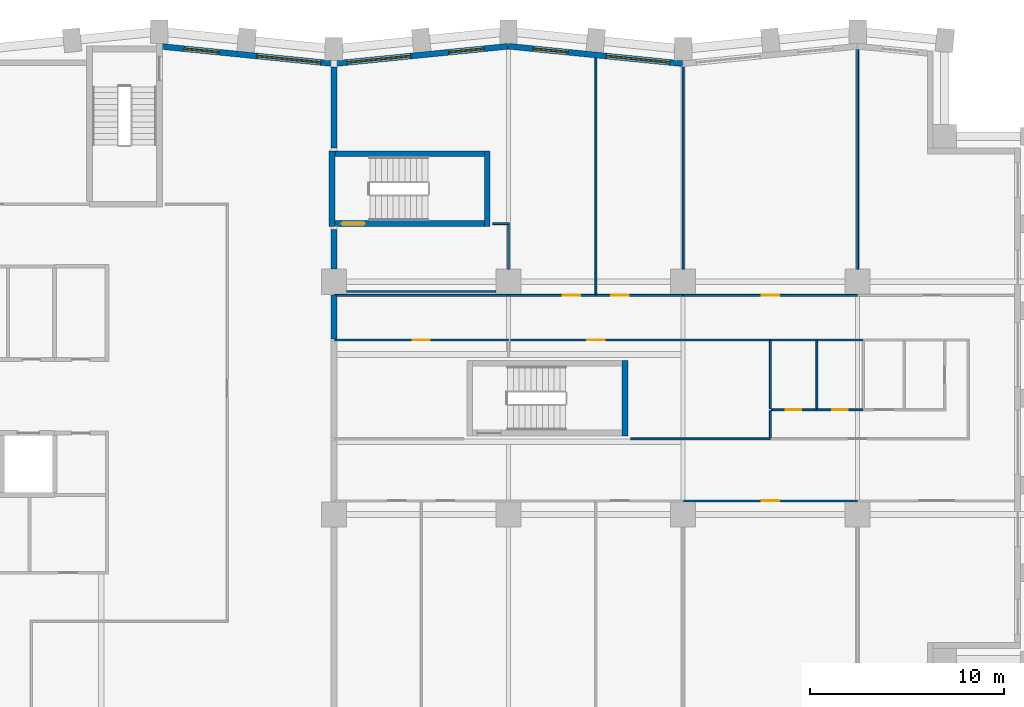
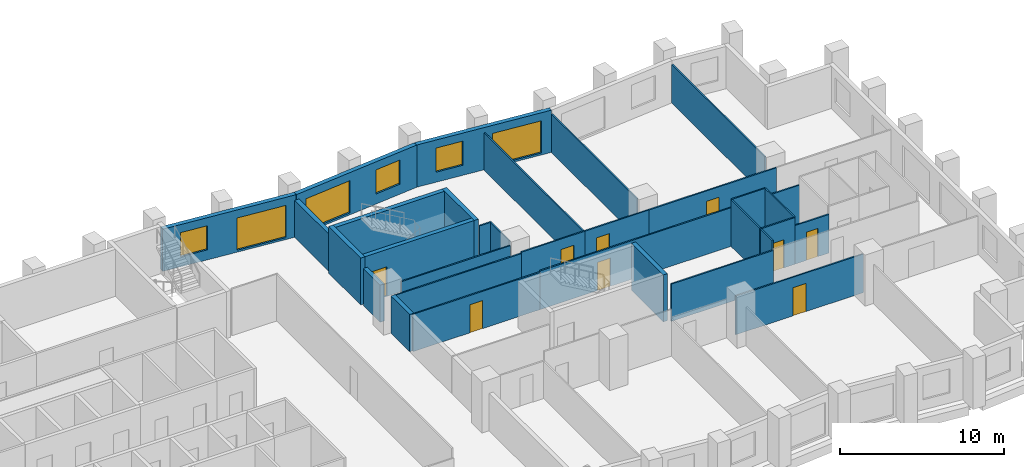
# One storey, part 7 of 11: 32 walls, 9 doors, 6 windows, 15 openings.
"""IFC4 building model written with IfcOpenShell, lengths in metres."""

import ifcopenshell
import ifcopenshell.guid

model = None  # the IFC model being written
_history = None  # IfcOwnerHistory: only IFC2X3 demands one
_inside = {}  # id of a spatial element -> (the spatial element, [elements in it])
_under = {}  # id of a project, library or spatial element -> (it, [spatial elements below it])
_declared = {}  # id of a project -> (the project, [libraries it declares])
_typed = {}  # id of a type object -> (the type object, [elements of that type])
_made_of = {}  # id of a material, layer set ... -> (it, [elements and type objects made of it])


def new_model(schema):
    """Start an empty IFC model of exactly this schema.

    Asked for "IFC4X3", IfcOpenShell would pick the latest addendum, in which some entities
    have other attributes; the version numbers below select the first issue.
    IFC2X3 requires an IfcOwnerHistory on every rooted entity: one is made here for all.
    """
    global model, _history
    if schema == "IFC4X3":
        model = ifcopenshell.file(schema_version=(4, 3, 0, 0))
    else:
        model = ifcopenshell.file(schema=schema)
    _inside.clear()
    _under.clear()
    _declared.clear()
    _typed.clear()
    _made_of.clear()
    _history = None
    if model.schema == "IFC2X3":
        org = make("IfcOrganization", Name="unknown")
        user = make(
            "IfcPersonAndOrganization",
            ThePerson=make("IfcPerson", FamilyName="unknown"),
            TheOrganization=org,
        )
        app = make(
            "IfcApplication",
            ApplicationDeveloper=org,
            Version="unknown",
            ApplicationFullName="unknown",
            ApplicationIdentifier="unknown",
        )
        _history = make(
            "IfcOwnerHistory",
            OwningUser=user,
            OwningApplication=app,
            ChangeAction="ADDED",
            CreationDate=0,
        )
    return model


def make(cls, **values):
    """One entity of the class cls with the attributes given. An attribute that is None is left unset."""
    return model.create_entity(
        cls, **{name: value for name, value in values.items() if value is not None}
    )


def rooted(cls, **values):
    """An entity with a GlobalId (a new one), such as an element, a storey or a relation."""
    return make(cls, GlobalId=ifcopenshell.guid.new(), OwnerHistory=_history, **values)


def si_unit(unit_type, name, prefix=None):
    """IfcSIUnit, for example si_unit("LENGTHUNIT", "METRE", prefix="MILLI")."""
    return make("IfcSIUnit", UnitType=unit_type, Prefix=prefix, Name=name)


def assignment(units):
    """IfcUnitAssignment: the units of a project."""
    return None if units is None else make("IfcUnitAssignment", Units=units)


def point(xyz):
    """IfcCartesianPoint."""
    return None if xyz is None else make("IfcCartesianPoint", Coordinates=xyz)


def direction(xyz):
    """IfcDirection."""
    return None if xyz is None else make("IfcDirection", DirectionRatios=xyz)


def frame(location, z_axis=None, x_axis=None):
    """IfcAxis2Placement3D, a coordinate frame: its origin and axes. An axis left out is left unset."""
    return make(
        "IfcAxis2Placement3D",
        Location=point(location),
        Axis=direction(z_axis),
        RefDirection=direction(x_axis),
    )


def frame_2d(location, x_axis=None):
    """IfcAxis2Placement2D, a coordinate frame in the plane: its origin and x axis."""
    return make(
        "IfcAxis2Placement2D", Location=point(location), RefDirection=direction(x_axis)
    )


def origin():
    """The frame at (0, 0, 0) with its axes left unset."""
    return frame((0.0, 0.0, 0.0))


def place(relative_to, where):
    """IfcLocalPlacement: puts the frame where relative to a parent placement (None: the world)."""
    return make(
        "IfcLocalPlacement", PlacementRelTo=relative_to, RelativePlacement=where
    )


def context(
    kind, dimensions, precision=None, world=None, true_north=None, identifier=None
):
    """IfcGeometricRepresentationContext, for example the 3D "Model" context."""
    return make(
        "IfcGeometricRepresentationContext",
        ContextIdentifier=identifier,
        ContextType=kind,
        CoordinateSpaceDimension=dimensions,
        Precision=precision,
        WorldCoordinateSystem=world,
        TrueNorth=true_north,
    )


def subcontext(parent, identifier, kind, view, scale=None):
    """IfcGeometricRepresentationSubContext, for example "Body" below "Model"."""
    return make(
        "IfcGeometricRepresentationSubContext",
        ContextIdentifier=identifier,
        ContextType=kind,
        ParentContext=parent,
        TargetScale=scale,
        TargetView=view,
    )


def project(units=None, contexts=None):
    """IfcProject with its units and contexts."""
    return rooted(
        "IfcProject",
        Name="project",
        RepresentationContexts=contexts,
        UnitsInContext=assignment(units),
    )


def spatial(cls, under=None, at=None, **own):
    """A site, building, storey or space (cls), placed at a placement, below another one or the project."""
    s = rooted(cls, ObjectPlacement=at, **own)
    if under is not None:
        _under.setdefault(under.id(), (under, []))[1].append(s)
    return s


def profile(cls, at=None, kind="AREA", **sizes):
    """A parametric profile (cls). Its sizes go by their IFC names, for example OverallWidth=200.0."""
    return make(cls, ProfileType=kind, Position=at, **sizes)


def rectangle(**sizes):
    """IfcRectangleProfileDef."""
    return profile("IfcRectangleProfileDef", **sizes)


def extrude(swept, where, along, depth):
    """IfcExtrudedAreaSolid: the profile swept, set in the frame where, extruded along a direction by depth."""
    return make(
        "IfcExtrudedAreaSolid",
        SweptArea=swept,
        Position=where,
        ExtrudedDirection=direction(along),
        Depth=depth,
    )


def shape(context_of_items, identifier, shape_type, items):
    """IfcShapeRepresentation: the items that make up one representation, for example the "Body"."""
    return make(
        "IfcShapeRepresentation",
        ContextOfItems=context_of_items,
        RepresentationIdentifier=identifier,
        RepresentationType=shape_type,
        Items=items,
    )


def material(Name=None, Category=None):
    """IfcMaterial."""
    return make("IfcMaterial", Name=Name, Category=Category)


def layer(
    of_material, thickness, ventilated=None, Name=None, Category=None, Priority=None
):
    """IfcMaterialLayer: one layer of a wall or slab, of a material (None: an air gap)."""
    return make(
        "IfcMaterialLayer",
        Material=of_material,
        LayerThickness=thickness,
        IsVentilated=ventilated,
        Name=Name,
        Category=Category,
        Priority=Priority,
    )


def layer_set(layers, Name=None):
    """IfcMaterialLayerSet."""
    return make("IfcMaterialLayerSet", MaterialLayers=layers, LayerSetName=Name)


def made_of(thing, what):
    """Note that an element or type object is made of a material, layer set ...; save() writes the relation."""
    if what is not None:
        _made_of.setdefault(what.id(), (what, []))[1].append(thing)
    return thing


def type_object(cls, material=None, **own):
    """A type object (cls), such as IfcWallType, which elements share."""
    return made_of(rooted(cls, **own), material)


def element(
    cls,
    number,
    at=None,
    inside=None,
    cuts=None,
    type_object=None,
    material=None,
    context=None,
    identifier="Body",
    shape_type=None,
    held_by="IfcProductDefinitionShape",
    body=None,
    shapes=None,
    **own,
):
    """One element of the class cls, such as IfcWall. Its Tag is "e" and its number.

    at: its placement. inside: the storey or other place that contains it. cuts: it is an
    opening in that element (IfcRelVoidsElement). A single representation is given by context,
    identifier, shape_type and body (its items); several are given by shapes. held_by: the class
    of the entity that holds the representations. save() writes the other relations.
    """
    e = rooted(cls, Tag="e%d" % number, ObjectPlacement=at, **own)
    if body is not None:
        shapes = [shape(context, identifier, shape_type, body)]
    if shapes is not None:
        e.Representation = make(held_by, Representations=shapes)
    if inside is not None:
        _inside.setdefault(inside.id(), (inside, []))[1].append(e)
    if cuts is not None:
        rooted(
            "IfcRelVoidsElement", RelatingBuildingElement=cuts, RelatedOpeningElement=e
        )
    if type_object is not None:
        _typed.setdefault(type_object.id(), (type_object, []))[1].append(e)
    return made_of(e, material)


def fill(opening, filler):
    """IfcRelFillsElement: the door or window that sits in an opening."""
    return rooted(
        "IfcRelFillsElement",
        RelatingOpeningElement=opening,
        RelatedBuildingElement=filler,
    )


def aggregate(whole, parts):
    """IfcRelAggregates: a whole, such as a stair, and the parts it consists of."""
    return rooted("IfcRelAggregates", RelatingObject=whole, RelatedObjects=parts)


def save(model, path):
    """Write the relations noted so far, then the file.

    IfcRelAggregates (storeys below a building ...), IfcRelContainedInSpatialStructure (elements
    in a storey), IfcRelDefinesByType, IfcRelAssociatesMaterial and IfcRelDeclares: one each for
    every whole, place, type object, material and project.
    """
    for whole, parts in _under.values():
        aggregate(whole, parts)
    for where, things in _inside.values():
        rooted(
            "IfcRelContainedInSpatialStructure",
            RelatedElements=things,
            RelatingStructure=where,
        )
    for kind, things in _typed.values():
        rooted("IfcRelDefinesByType", RelatedObjects=things, RelatingType=kind)
    for what, things in _made_of.values():
        rooted("IfcRelAssociatesMaterial", RelatedObjects=things, RelatingMaterial=what)
    for by, libraries in _declared.values():
        rooted("IfcRelDeclares", RelatingContext=by, RelatedDefinitions=libraries)
    model.write(path)


model = new_model("IFC4")

# Units and contexts
model_context = context("Model", 3, precision=1e-05, world=origin(), true_north=direction((0.0, 1.0)))
body_context = subcontext(model_context, "Body", "Model", "MODEL_VIEW")
ifc_project = project(units=[si_unit("LENGTHUNIT", "METRE"), si_unit("AREAUNIT", "SQUARE_METRE"), si_unit("VOLUMEUNIT", "CUBIC_METRE"), si_unit("PLANEANGLEUNIT", "RADIAN"), si_unit("MASSUNIT", "GRAM", prefix="KILO")], contexts=[model_context])

# Site, building, storey
site_placement = place(None, origin())
site = spatial("IfcSite", under=ifc_project, at=site_placement, CompositionType="ELEMENT")
building_placement = place(site_placement, origin())
building = spatial("IfcBuilding", under=site, at=building_placement, Name="Brondeck Convention Tower", CompositionType="ELEMENT")
storey_placement = place(building_placement, frame((0.0, 0.0, 126.5)))
storey = spatial("IfcBuildingStorey", under=building, at=storey_placement, Name="L30", CompositionType="ELEMENT", Elevation=126.5)

# Walls
ifc_material_1 = material(Name="Concrete compartment wall C30/37", Category="concrete")
ifc_layer_1 = layer(ifc_material_1, 0.300048828125)
ifc_layer_set_1 = layer_set([ifc_layer_1], Name="Compartment wall 300")
wall_type_1 = type_object("IfcWallType", Name="Compartment wall 300", PredefinedType="PARTITIONING", material=ifc_layer_set_1)
wall_1_placement = place(storey_placement, frame((36.0, 48.050048828125, 0.0), z_axis=(0.0, 0.0, 1.0), x_axis=(0.0, 1.0, 0.0)))
element("IfcWall", 1, at=wall_1_placement, inside=storey, type_object=wall_type_1, Name="FLR-L30-W064", PredefinedType="PARTITIONING", context=body_context, shape_type="SweptSolid", body=[
    extrude(rectangle(XDim=2.280029296875, YDim=0.300048828125, at=frame_2d((1.14013671875, 0.0))), origin(), (0.0, 0.0, 1.0), 2.780029296875),
])
wall_2_placement = place(storey_placement, frame((36.0, 51.655029296875, 0.0), z_axis=(0.0, 0.0, 1.0), x_axis=(0.0, 1.0, 0.0)))
element("IfcWall", 2, at=wall_2_placement, inside=storey, type_object=wall_type_1, Name="FLR-L30-W071", PredefinedType="PARTITIONING", context=body_context, shape_type="SweptSolid", body=[
    extrude(rectangle(XDim=2.044921875, YDim=0.300048828125, at=frame_2d((1.0224609375, 0.0))), origin(), (0.0, 0.0, 1.0), 2.780029296875),
])
wall_3_placement = place(storey_placement, frame((36.0, 57.89990234375, 0.0), z_axis=(0.0, 0.0, 1.0), x_axis=(0.0, 1.0, 0.0)))
element("IfcWall", 3, at=wall_3_placement, inside=storey, type_object=wall_type_1, Name="FLR-L30-W076", PredefinedType="PARTITIONING", context=body_context, shape_type="SweptSolid", body=[
    extrude(rectangle(XDim=4.175537109375, YDim=0.300048828125, at=frame_2d((2.087890625, 0.0))), origin(), (0.0, 0.0, 1.0), 2.780029296875),
])

# Wall, openings, windows
ifc_material_2 = material(Name="Precast concrete C50/60 bronze finish", Category="concrete")
ifc_layer_2 = layer(ifc_material_2, 0.070068359375, Name="Bronze precast facing")
ifc_material_3 = material(Name="Mineral wool")
ifc_layer_3 = layer(ifc_material_3, 0.159912109375, Name="Insulation")
ifc_material_4 = material(Name="Concrete C35/45", Category="concrete")
ifc_layer_4 = layer(ifc_material_4, 0.070068359375, Name="Backing")
ifc_layer_set_2 = layer_set([ifc_layer_2, ifc_layer_3, ifc_layer_4], Name="External infill wall, precast concrete C50/60 bronze facing")
wall_type_2 = type_object("IfcWallType", Name="External infill wall, precast concrete C50/60 bronze facing", PredefinedType="SOLIDWALL", material=ifc_layer_set_2)
wall_4_placement = place(storey_placement, frame((44.985107421875, 63.147705078125, 0.0), z_axis=(0.0, 0.0, 1.0), x_axis=(0.995037993253, -0.099495688264, 0.0)))
wall_4 = element("IfcWall", 4, at=wall_4_placement, inside=storey, type_object=wall_type_2, Name="ENV-EW-L30-P0-A-N-11", PredefinedType="SOLIDWALL", context=body_context, shape_type="SweptSolid", body=[
    extrude(rectangle(XDim=9.030029296875, YDim=0.300048828125, at=frame_2d((4.51513671875, 0.0))), origin(), (0.0, 0.0, 1.0), 3.14990234375),
])
opening_1_placement = place(wall_4_placement, frame((1.30126953125, 0.0, 0.75)))
opening_1 = element("IfcOpeningElement", 5, at=opening_1_placement, cuts=wall_4, Name="Opening W10", PredefinedType="OPENING", context=body_context, shape_type="SweptSolid", body=[
    extrude(rectangle(XDim=1.800048828125, YDim=1.800048828125, at=frame_2d((0.89990234375, 0.89990234375))), frame((0.0, 0.159912109375, 0.0), z_axis=(0.0, -1.0, 0.0), x_axis=(1.0, 0.0, 0.0)), (0.0, 0.0, 1.0), 0.320068359375),
])
opening_2_placement = place(wall_4_placement, frame((5.073486328125, 0.0, 0.14990234375)))
opening_2 = element("IfcOpeningElement", 6, at=opening_2_placement, cuts=wall_4, Name="Opening W9", PredefinedType="OPENING", context=body_context, shape_type="SweptSolid", body=[
    extrude(rectangle(XDim=3.300048828125, YDim=2.39990234375, at=frame_2d((1.64990234375, 1.199951171875))), frame((0.0, 0.159912109375, 0.0), z_axis=(0.0, -1.0, 0.0), x_axis=(1.0, 0.0, 0.0)), (0.0, 0.0, 1.0), 0.320068359375),
])
ifc_material_5 = material(Name="Bronze tinted double glazing", Category="glass")
window_type_1 = type_object("IfcWindowType", Name="Glazed flute window, bronze tinted", PartitioningType="SINGLE_PANEL", PredefinedType="WINDOW", material=ifc_material_5)
window_1_placement = place(opening_2_placement, origin())
window_1 = element("IfcWindow", 7, at=window_1_placement, inside=storey, type_object=window_type_1, Name="ENV-WN-L30-P0-A-N-11", OverallHeight=2.39990234375, OverallWidth=3.300048828125, PartitioningType="SINGLE_PANEL", PredefinedType="WINDOW", context=body_context, shape_type="SweptSolid", body=[
    extrude(rectangle(XDim=3.300048828125, YDim=2.39990234375, at=frame_2d((1.64990234375, 1.199951171875))), frame((0.0, 0.030029296875, 0.0), z_axis=(0.0, -1.0, 0.0), x_axis=(1.0, 0.0, 0.0)), (0.0, 0.0, 1.0), 0.06005859375),
])
fill(opening_2, window_1)
window_type_2 = type_object("IfcWindowType", Name="Punched window, bronze tinted", PartitioningType="SINGLE_PANEL", PredefinedType="WINDOW", material=ifc_material_5)
window_2_placement = place(opening_1_placement, origin())
window_2 = element("IfcWindow", 8, at=window_2_placement, inside=storey, type_object=window_type_2, Name="ENV-WN-L30-P0-A-N-10", OverallHeight=1.800048828125, OverallWidth=1.800048828125, PartitioningType="SINGLE_PANEL", PredefinedType="WINDOW", context=body_context, shape_type="SweptSolid", body=[
    extrude(rectangle(XDim=1.800048828125, YDim=1.800048828125, at=frame_2d((0.89990234375, 0.89990234375))), frame((0.0, 0.030029296875, 0.0), z_axis=(0.0, -1.0, 0.0), x_axis=(1.0, 0.0, 0.0)), (0.0, 0.0, 1.0), 0.06005859375),
])
fill(opening_1, window_2)

wall_5_placement = place(storey_placement, frame((35.985107421875, 62.244873046875, 0.0), z_axis=(0.0, 0.0, 1.0), x_axis=(0.995037993253, 0.099495688264, 0.0)))
wall_5 = element("IfcWall", 9, at=wall_5_placement, inside=storey, type_object=wall_type_2, Name="ENV-EW-L30-P0-A-N-09", PredefinedType="SOLIDWALL", context=body_context, shape_type="SweptSolid", body=[
    extrude(rectangle(XDim=9.030029296875, YDim=0.300048828125, at=frame_2d((4.51513671875, 0.0))), origin(), (0.0, 0.0, 1.0), 3.14990234375),
])
opening_3_placement = place(wall_5_placement, frame((0.701171875, 0.0, 0.14990234375)))
opening_3 = element("IfcOpeningElement", 10, at=opening_3_placement, cuts=wall_5, Name="Opening W9", PredefinedType="OPENING", context=body_context, shape_type="SweptSolid", body=[
    extrude(rectangle(XDim=3.300048828125, YDim=2.39990234375, at=frame_2d((1.64990234375, 1.199951171875))), frame((0.0, 0.159912109375, 0.0), z_axis=(0.0, -1.0, 0.0), x_axis=(1.0, 0.0, 0.0)), (0.0, 0.0, 1.0), 0.320068359375),
])
opening_4_placement = place(wall_5_placement, frame((5.9736328125, 0.0, 0.75)))
opening_4 = element("IfcOpeningElement", 11, at=opening_4_placement, cuts=wall_5, Name="Opening W10", PredefinedType="OPENING", context=body_context, shape_type="SweptSolid", body=[
    extrude(rectangle(XDim=1.800048828125, YDim=1.800048828125, at=frame_2d((0.89990234375, 0.89990234375))), frame((0.0, 0.159912109375, 0.0), z_axis=(0.0, -1.0, 0.0), x_axis=(1.0, 0.0, 0.0)), (0.0, 0.0, 1.0), 0.320068359375),
])
window_3_placement = place(opening_3_placement, origin())
window_3 = element("IfcWindow", 12, at=window_3_placement, inside=storey, type_object=window_type_1, Name="ENV-WN-L30-P0-A-N-08", OverallHeight=2.39990234375, OverallWidth=3.300048828125, PartitioningType="SINGLE_PANEL", PredefinedType="WINDOW", context=body_context, shape_type="SweptSolid", body=[
    extrude(rectangle(XDim=3.300048828125, YDim=2.39990234375, at=frame_2d((1.64990234375, 1.199951171875))), frame((0.0, 0.030029296875, 0.0), z_axis=(0.0, -1.0, 0.0), x_axis=(1.0, 0.0, 0.0)), (0.0, 0.0, 1.0), 0.06005859375),
])
fill(opening_3, window_3)
window_4_placement = place(opening_4_placement, origin())
window_4 = element("IfcWindow", 13, at=window_4_placement, inside=storey, type_object=window_type_2, Name="ENV-WN-L30-P0-A-N-09", OverallHeight=1.800048828125, OverallWidth=1.800048828125, PartitioningType="SINGLE_PANEL", PredefinedType="WINDOW", context=body_context, shape_type="SweptSolid", body=[
    extrude(rectangle(XDim=1.800048828125, YDim=1.800048828125, at=frame_2d((0.89990234375, 0.89990234375))), frame((0.0, 0.030029296875, 0.0), z_axis=(0.0, -1.0, 0.0), x_axis=(1.0, 0.0, 0.0)), (0.0, 0.0, 1.0), 0.06005859375),
])
fill(opening_4, window_4)

wall_6_placement = place(storey_placement, frame((27.07470703125, 63.138916015625, 0.0), z_axis=(0.0, 0.0, 1.0), x_axis=(0.995036108601, -0.099514534519, 0.0)))
wall_6 = element("IfcWall", 14, at=wall_6_placement, inside=storey, type_object=wall_type_2, Name="ENV-EW-L30-P0-A-N-07", PredefinedType="SOLIDWALL", context=body_context, shape_type="SweptSolid", body=[
    extrude(rectangle(XDim=8.93994140625, YDim=0.300048828125, at=frame_2d((4.469970703125, 0.0))), origin(), (0.0, 0.0, 1.0), 3.14990234375),
])
opening_5_placement = place(wall_6_placement, frame((1.211181640625, 0.0, 0.75)))
opening_5 = element("IfcOpeningElement", 15, at=opening_5_placement, cuts=wall_6, Name="Opening W10", PredefinedType="OPENING", context=body_context, shape_type="SweptSolid", body=[
    extrude(rectangle(XDim=1.800048828125, YDim=1.800048828125, at=frame_2d((0.89990234375, 0.89990234375))), frame((0.0, 0.159912109375, 0.0), z_axis=(0.0, -1.0, 0.0), x_axis=(1.0, 0.0, 0.0)), (0.0, 0.0, 1.0), 0.320068359375),
])
opening_6_placement = place(wall_6_placement, frame((4.983642578125, 0.0, 0.14990234375)))
opening_6 = element("IfcOpeningElement", 16, at=opening_6_placement, cuts=wall_6, Name="Opening W9", PredefinedType="OPENING", context=body_context, shape_type="SweptSolid", body=[
    extrude(rectangle(XDim=3.300048828125, YDim=2.39990234375, at=frame_2d((1.64990234375, 1.199951171875))), frame((0.0, 0.159912109375, 0.0), z_axis=(0.0, -1.0, 0.0), x_axis=(1.0, 0.0, 0.0)), (0.0, 0.0, 1.0), 0.320068359375),
])
window_5_placement = place(opening_6_placement, origin())
window_5 = element("IfcWindow", 17, at=window_5_placement, inside=storey, type_object=window_type_1, Name="ENV-WN-L30-P0-A-N-07", OverallHeight=2.39990234375, OverallWidth=3.300048828125, PartitioningType="SINGLE_PANEL", PredefinedType="WINDOW", context=body_context, shape_type="SweptSolid", body=[
    extrude(rectangle(XDim=3.300048828125, YDim=2.39990234375, at=frame_2d((1.64990234375, 1.199951171875))), frame((0.0, 0.030029296875, 0.0), z_axis=(0.0, -1.0, 0.0), x_axis=(1.0, 0.0, 0.0)), (0.0, 0.0, 1.0), 0.06005859375),
])
fill(opening_6, window_5)
window_6_placement = place(opening_5_placement, origin())
window_6 = element("IfcWindow", 18, at=window_6_placement, inside=storey, type_object=window_type_2, Name="ENV-WN-L30-P0-A-N-06", OverallHeight=1.800048828125, OverallWidth=1.800048828125, PartitioningType="SINGLE_PANEL", PredefinedType="WINDOW", context=body_context, shape_type="SweptSolid", body=[
    extrude(rectangle(XDim=1.800048828125, YDim=1.800048828125, at=frame_2d((0.89990234375, 0.89990234375))), frame((0.0, 0.030029296875, 0.0), z_axis=(0.0, -1.0, 0.0), x_axis=(1.0, 0.0, 0.0)), (0.0, 0.0, 1.0), 0.06005859375),
])
fill(opening_5, window_6)

# Wall, opening, door
ifc_material_6 = material(Name="Gypsum board partition on steel studs", Category="steel")
ifc_layer_5 = layer(ifc_material_6, 0.10009765625)
ifc_layer_set_3 = layer_set([ifc_layer_5], Name="Room partition 100")
wall_type_3 = type_object("IfcWallType", Name="Room partition 100", PredefinedType="PARTITIONING", material=ifc_layer_set_3)
wall_7_placement = place(storey_placement, frame((63.0, 39.699951171875, 0.0), z_axis=(0.0, 0.0, 1.0), x_axis=(-1.0, 0.0, 0.0)))
wall_7 = element("IfcWall", 19, at=wall_7_placement, inside=storey, type_object=wall_type_3, Name="FLR-L30-W038", PredefinedType="PARTITIONING", context=body_context, shape_type="SweptSolid", body=[
    extrude(rectangle(XDim=9.0, YDim=0.10009765625, at=frame_2d((4.5, 0.0))), origin(), (0.0, 0.0, 1.0), 2.8798828125),
])
opening_7_placement = place(wall_7_placement, frame((4.050048828125, 0.0, 0.0)))
opening_7 = element("IfcOpeningElement", 20, at=opening_7_placement, cuts=wall_7, Name="Opening OF-D-012", PredefinedType="OPENING", context=body_context, shape_type="SweptSolid", body=[
    extrude(rectangle(XDim=0.89990234375, YDim=2.10009765625, at=frame_2d((0.449951171875, 1.050048828125))), frame((0.0, 0.06005859375, 0.0), z_axis=(0.0, -1.0, 0.0), x_axis=(1.0, 0.0, 0.0)), (0.0, 0.0, 1.0), 0.1201171875),
])
ifc_material_7 = material(Name="Solid timber door leaf", Category="wood")
door_type_1 = type_object("IfcDoorType", Name="Single door 900", OperationType="NOTDEFINED", PredefinedType="DOOR", material=ifc_material_7)
door_1_placement = place(opening_7_placement, origin())
door_1 = element("IfcDoor", 21, at=door_1_placement, inside=storey, type_object=door_type_1, Name="Door OF-D-012", OperationType="SINGLE_SWING_LEFT", OverallHeight=2.10009765625, OverallWidth=0.89990234375, PredefinedType="DOOR", context=body_context, shape_type="SweptSolid", body=[
    extrude(rectangle(XDim=0.89990234375, YDim=2.10009765625, at=frame_2d((0.449951171875, 1.050048828125))), frame((0.0, 0.02490234375, 0.0), z_axis=(0.0, -1.0, 0.0), x_axis=(1.0, 0.0, 0.0)), (0.0, 0.0, 1.0), 0.050048828125),
])
fill(opening_7, door_1)

# Walls
wall_8_placement = place(storey_placement, frame((51.300048828125, 42.89990234375, 0.0), z_axis=(0.0, 0.0, 1.0), x_axis=(1.0, 0.0, 0.0)))
element("IfcWall", 22, at=wall_8_placement, inside=storey, type_object=wall_type_3, Name="FLR-L30-W042", PredefinedType="PARTITIONING", context=body_context, shape_type="SweptSolid", body=[
    extrude(rectangle(XDim=7.199951171875, YDim=0.10009765625, at=frame_2d((3.60009765625, 0.0))), origin(), (0.0, 0.0, 1.0), 2.780029296875),
])
wall_9_placement = place(storey_placement, frame((58.5, 44.35009765625, 0.0), z_axis=(0.0, 0.0, 1.0), x_axis=(0.0, -1.0, 0.0)))
element("IfcWall", 23, at=wall_9_placement, inside=storey, type_object=wall_type_3, Name="FLR-L30-W046", PredefinedType="PARTITIONING", context=body_context, shape_type="SweptSolid", body=[
    extrude(rectangle(XDim=1.400146484375, YDim=0.10009765625, at=frame_2d((0.7001953125, 0.0))), origin(), (0.0, 0.0, 1.0), 3.47998046875),
])

# Wall, opening, door
wall_10_placement = place(storey_placement, frame((58.550048828125, 44.39990234375, 0.0), z_axis=(0.0, 0.0, 1.0), x_axis=(1.0, 0.0, 0.0)))
wall_10 = element("IfcWall", 24, at=wall_10_placement, inside=storey, type_object=wall_type_3, Name="FLR-L30-W047", PredefinedType="PARTITIONING", context=body_context, shape_type="SweptSolid", body=[
    extrude(rectangle(XDim=2.349853515625, YDim=0.10009765625, at=frame_2d((1.1748046875, 0.0))), origin(), (0.0, 0.0, 1.0), 3.47998046875),
])
opening_8_placement = place(wall_10_placement, frame((0.75, 0.0, 0.0)))
opening_8 = element("IfcOpeningElement", 25, at=opening_8_placement, cuts=wall_10, Name="Opening OF-D-005", PredefinedType="OPENING", context=body_context, shape_type="SweptSolid", body=[
    extrude(rectangle(XDim=0.800048828125, YDim=2.10009765625, at=frame_2d((0.39990234375, 1.050048828125))), frame((0.0, 0.06005859375, 0.0), z_axis=(0.0, -1.0, 0.0), x_axis=(1.0, 0.0, 0.0)), (0.0, 0.0, 1.0), 0.1201171875),
])
door_type_2 = type_object("IfcDoorType", Name="En-suite door 800", OperationType="NOTDEFINED", PredefinedType="DOOR", material=ifc_material_7)
door_2_placement = place(opening_8_placement, origin())
door_2 = element("IfcDoor", 26, at=door_2_placement, inside=storey, type_object=door_type_2, Name="Door OF-D-005", OperationType="SINGLE_SWING_LEFT", OverallHeight=2.10009765625, OverallWidth=0.800048828125, PredefinedType="DOOR", context=body_context, shape_type="SweptSolid", body=[
    extrude(rectangle(XDim=0.800048828125, YDim=2.10009765625, at=frame_2d((0.39990234375, 1.050048828125))), frame((0.0, 0.02490234375, 0.0), z_axis=(0.0, -1.0, 0.0), x_axis=(1.0, 0.0, 0.0)), (0.0, 0.0, 1.0), 0.050048828125),
])
fill(opening_8, door_2)

wall_11_placement = place(storey_placement, frame((60.89990234375, 44.39990234375, 0.0), z_axis=(0.0, 0.0, 1.0), x_axis=(1.0, 0.0, 0.0)))
wall_11 = element("IfcWall", 27, at=wall_11_placement, inside=storey, type_object=wall_type_3, Name="FLR-L30-W048", PredefinedType="PARTITIONING", context=body_context, shape_type="SweptSolid", body=[
    extrude(rectangle(XDim=2.400146484375, YDim=0.10009765625, at=frame_2d((1.2001953125, 0.0))), origin(), (0.0, 0.0, 1.0), 2.8798828125),
])
opening_9_placement = place(wall_11_placement, frame((0.800048828125, 0.0, 0.0)))
opening_9 = element("IfcOpeningElement", 28, at=opening_9_placement, cuts=wall_11, Name="Opening OF-D-006", PredefinedType="OPENING", context=body_context, shape_type="SweptSolid", body=[
    extrude(rectangle(XDim=0.800048828125, YDim=2.10009765625, at=frame_2d((0.39990234375, 1.050048828125))), frame((0.0, 0.06005859375, 0.0), z_axis=(0.0, -1.0, 0.0), x_axis=(1.0, 0.0, 0.0)), (0.0, 0.0, 1.0), 0.1201171875),
])
door_3_placement = place(opening_9_placement, origin())
door_3 = element("IfcDoor", 29, at=door_3_placement, inside=storey, type_object=door_type_2, Name="Door OF-D-006", OperationType="SINGLE_SWING_RIGHT", OverallHeight=2.10009765625, OverallWidth=0.800048828125, PredefinedType="DOOR", context=body_context, shape_type="SweptSolid", body=[
    extrude(rectangle(XDim=0.800048828125, YDim=2.10009765625, at=frame_2d((0.39990234375, 1.050048828125))), frame((0.0, 0.02490234375, 0.0), z_axis=(0.0, -1.0, 0.0), x_axis=(1.0, 0.0, 0.0)), (0.0, 0.0, 1.0), 0.050048828125),
])
fill(opening_9, door_3)

# Walls
for number, where, z_axis, x_axis, name in (
    (30, (58.5, 47.949951171875, 0.0), (0.0, 0.0, 1.0), (0.0, -1.0, 0.0), "FLR-L30-W053"),
    (31, (60.89990234375, 47.949951171875, 0.0), (0.0, 0.0, 1.0), (0.0, -1.0, 0.0), "FLR-L30-W054"),
):
    element("IfcWall", number, at=place(storey_placement, frame(where, z_axis=z_axis, x_axis=x_axis)), inside=storey, type_object=wall_type_3, Name=name, PredefinedType="PARTITIONING", context=body_context, shape_type="SweptSolid", body=[
        extrude(rectangle(XDim=3.5, YDim=0.10009765625, at=frame_2d((1.75, 0.0))), origin(), (0.0, 0.0, 1.0), 3.47998046875),
    ])

# Wall, opening, door
wall_12_placement = place(storey_placement, frame((45.0, 48.0, 0.0), z_axis=(0.0, 0.0, 1.0), x_axis=(-1.0, 0.0, 0.0)))
wall_12 = element("IfcWall", 32, at=wall_12_placement, inside=storey, type_object=wall_type_3, Name="FLR-L30-W057", PredefinedType="PARTITIONING", context=body_context, shape_type="SweptSolid", body=[
    extrude(rectangle(XDim=8.949951171875, YDim=0.10009765625, at=frame_2d((4.47509765625, 0.0))), origin(), (0.0, 0.0, 1.0), 2.780029296875),
])
opening_10_placement = place(wall_12_placement, frame((4.050048828125, 0.0, 0.0)))
opening_10 = element("IfcOpeningElement", 33, at=opening_10_placement, cuts=wall_12, Name="Opening OF-D-002", PredefinedType="OPENING", context=body_context, shape_type="SweptSolid", body=[
    extrude(rectangle(XDim=0.89990234375, YDim=2.10009765625, at=frame_2d((0.449951171875, 1.050048828125))), frame((0.0, 0.06005859375, 0.0), z_axis=(0.0, -1.0, 0.0), x_axis=(1.0, 0.0, 0.0)), (0.0, 0.0, 1.0), 0.1201171875),
])
door_4_placement = place(opening_10_placement, origin())
door_4 = element("IfcDoor", 34, at=door_4_placement, inside=storey, type_object=door_type_1, Name="Door OF-D-002", OperationType="SINGLE_SWING_RIGHT", OverallHeight=2.10009765625, OverallWidth=0.89990234375, PredefinedType="DOOR", context=body_context, shape_type="SweptSolid", body=[
    extrude(rectangle(XDim=0.89990234375, YDim=2.10009765625, at=frame_2d((0.449951171875, 1.050048828125))), frame((0.0, 0.02490234375, 0.0), z_axis=(0.0, -1.0, 0.0), x_axis=(1.0, 0.0, 0.0)), (0.0, 0.0, 1.0), 0.050048828125),
])
fill(opening_10, door_4)

wall_13_placement = place(storey_placement, frame((58.5, 48.0, 0.0), z_axis=(0.0, 0.0, 1.0), x_axis=(-1.0, 0.0, 0.0)))
wall_13 = element("IfcWall", 35, at=wall_13_placement, inside=storey, type_object=wall_type_3, Name="FLR-L30-W058", PredefinedType="PARTITIONING", context=body_context, shape_type="SweptSolid", body=[
    extrude(rectangle(XDim=13.5, YDim=0.10009765625, at=frame_2d((6.75, 0.0))), origin(), (0.0, 0.0, 1.0), 2.8798828125),
])
opening_11_placement = place(wall_13_placement, frame((8.550048828125, 0.0, 0.0)))
opening_11 = element("IfcOpeningElement", 36, at=opening_11_placement, cuts=wall_13, Name="Opening OF-D-003", PredefinedType="OPENING", context=body_context, shape_type="SweptSolid", body=[
    extrude(rectangle(XDim=0.89990234375, YDim=2.10009765625, at=frame_2d((0.449951171875, 1.050048828125))), frame((0.0, 0.06005859375, 0.0), z_axis=(0.0, -1.0, 0.0), x_axis=(1.0, 0.0, 0.0)), (0.0, 0.0, 1.0), 0.1201171875),
])
door_5_placement = place(opening_11_placement, origin())
door_5 = element("IfcDoor", 37, at=door_5_placement, inside=storey, type_object=door_type_1, Name="Door OF-D-003", OperationType="SINGLE_SWING_RIGHT", OverallHeight=2.10009765625, OverallWidth=0.89990234375, PredefinedType="DOOR", context=body_context, shape_type="SweptSolid", body=[
    extrude(rectangle(XDim=0.89990234375, YDim=2.10009765625, at=frame_2d((0.449951171875, 1.050048828125))), frame((0.0, 0.02490234375, 0.0), z_axis=(0.0, -1.0, 0.0), x_axis=(1.0, 0.0, 0.0)), (0.0, 0.0, 1.0), 0.050048828125),
])
fill(opening_11, door_5)

# Walls
wall_14_placement = place(storey_placement, frame((60.89990234375, 48.0, 0.0), z_axis=(0.0, 0.0, 1.0), x_axis=(-1.0, 0.0, 0.0)))
element("IfcWall", 38, at=wall_14_placement, inside=storey, type_object=wall_type_3, Name="FLR-L30-W059", PredefinedType="PARTITIONING", context=body_context, shape_type="SweptSolid", body=[
    extrude(rectangle(XDim=2.39990234375, YDim=0.10009765625, at=frame_2d((1.199951171875, 0.0))), origin(), (0.0, 0.0, 1.0), 3.47998046875),
])
wall_15_placement = place(storey_placement, frame((63.300048828125, 48.0, 0.0), z_axis=(0.0, 0.0, 1.0), x_axis=(-1.0, 0.0, 0.0)))
element("IfcWall", 39, at=wall_15_placement, inside=storey, type_object=wall_type_3, Name="FLR-L30-W060", PredefinedType="PARTITIONING", context=body_context, shape_type="SweptSolid", body=[
    extrude(rectangle(XDim=2.400146484375, YDim=0.10009765625, at=frame_2d((1.2001953125, 0.0))), origin(), (0.0, 0.0, 1.0), 2.8798828125),
])
wall_16_placement = place(storey_placement, frame((36.050048828125, 50.300048828125, 0.0), z_axis=(0.0, 0.0, 1.0), x_axis=(1.0, 0.0, 0.0)))
element("IfcWall", 40, at=wall_16_placement, inside=storey, type_object=wall_type_3, Name="FLR-L30-W065", PredefinedType="PARTITIONING", context=body_context, shape_type="SweptSolid", body=[
    extrude(rectangle(XDim=8.949951171875, YDim=0.10009765625, at=frame_2d((4.47509765625, 0.0))), origin(), (0.0, 0.0, 1.0), 2.780029296875),
])

# Wall, opening, door
wall_17_placement = place(storey_placement, frame((45.0, 50.300048828125, 0.0), z_axis=(0.0, 0.0, 1.0), x_axis=(1.0, 0.0, 0.0)))
wall_17 = element("IfcWall", 41, at=wall_17_placement, inside=storey, type_object=wall_type_3, Name="FLR-L30-W066", PredefinedType="PARTITIONING", context=body_context, shape_type="SweptSolid", body=[
    extrude(rectangle(XDim=4.5, YDim=0.10009765625, at=frame_2d((2.25, 0.0))), origin(), (0.0, 0.0, 1.0), 2.8798828125),
])
opening_12_placement = place(wall_17_placement, frame((2.799072265625, 0.0, 0.0)))
opening_12 = element("IfcOpeningElement", 42, at=opening_12_placement, cuts=wall_17, Name="Opening OF-D-014", PredefinedType="OPENING", context=body_context, shape_type="SweptSolid", body=[
    extrude(rectangle(XDim=0.89990234375, YDim=2.10009765625, at=frame_2d((0.449951171875, 1.050048828125))), frame((0.0, 0.06005859375, 0.0), z_axis=(0.0, -1.0, 0.0), x_axis=(1.0, 0.0, 0.0)), (0.0, 0.0, 1.0), 0.1201171875),
])
door_6_placement = place(opening_12_placement, origin())
door_6 = element("IfcDoor", 43, at=door_6_placement, inside=storey, type_object=door_type_1, Name="Door OF-D-014", OperationType="SINGLE_SWING_LEFT", OverallHeight=2.10009765625, OverallWidth=0.89990234375, PredefinedType="DOOR", context=body_context, shape_type="SweptSolid", body=[
    extrude(rectangle(XDim=0.89990234375, YDim=2.10009765625, at=frame_2d((0.449951171875, 1.050048828125))), frame((0.0, 0.02490234375, 0.0), z_axis=(0.0, -1.0, 0.0), x_axis=(1.0, 0.0, 0.0)), (0.0, 0.0, 1.0), 0.050048828125),
])
fill(opening_12, door_6)

wall_18_placement = place(storey_placement, frame((49.5, 50.300048828125, 0.0), z_axis=(0.0, 0.0, 1.0), x_axis=(1.0, 0.0, 0.0)))
wall_18 = element("IfcWall", 44, at=wall_18_placement, inside=storey, type_object=wall_type_3, Name="FLR-L30-W067", PredefinedType="PARTITIONING", context=body_context, shape_type="SweptSolid", body=[
    extrude(rectangle(XDim=4.5, YDim=0.10009765625, at=frame_2d((2.25, 0.0))), origin(), (0.0, 0.0, 1.0), 2.8798828125),
])
opening_13_placement = place(wall_18_placement, frame((0.801025390625, 0.0, 0.0)))
opening_13 = element("IfcOpeningElement", 45, at=opening_13_placement, cuts=wall_18, Name="Opening OF-D-015", PredefinedType="OPENING", context=body_context, shape_type="SweptSolid", body=[
    extrude(rectangle(XDim=0.89990234375, YDim=2.10009765625, at=frame_2d((0.449951171875, 1.050048828125))), frame((0.0, 0.06005859375, 0.0), z_axis=(0.0, -1.0, 0.0), x_axis=(1.0, 0.0, 0.0)), (0.0, 0.0, 1.0), 0.1201171875),
])
door_7_placement = place(opening_13_placement, origin())
door_7 = element("IfcDoor", 46, at=door_7_placement, inside=storey, type_object=door_type_1, Name="Door OF-D-015", OperationType="SINGLE_SWING_LEFT", OverallHeight=2.10009765625, OverallWidth=0.89990234375, PredefinedType="DOOR", context=body_context, shape_type="SweptSolid", body=[
    extrude(rectangle(XDim=0.89990234375, YDim=2.10009765625, at=frame_2d((0.449951171875, 1.050048828125))), frame((0.0, 0.02490234375, 0.0), z_axis=(0.0, -1.0, 0.0), x_axis=(1.0, 0.0, 0.0)), (0.0, 0.0, 1.0), 0.050048828125),
])
fill(opening_13, door_7)

wall_19_placement = place(storey_placement, frame((54.0, 50.300048828125, 0.0), z_axis=(0.0, 0.0, 1.0), x_axis=(1.0, 0.0, 0.0)))
wall_19 = element("IfcWall", 47, at=wall_19_placement, inside=storey, type_object=wall_type_3, Name="FLR-L30-W068", PredefinedType="PARTITIONING", context=body_context, shape_type="SweptSolid", body=[
    extrude(rectangle(XDim=9.0, YDim=0.10009765625, at=frame_2d((4.5, 0.0))), origin(), (0.0, 0.0, 1.0), 2.8798828125),
])
opening_14_placement = place(wall_19_placement, frame((4.050048828125, 0.0, 0.0)))
opening_14 = element("IfcOpeningElement", 48, at=opening_14_placement, cuts=wall_19, Name="Opening OF-D-016", PredefinedType="OPENING", context=body_context, shape_type="SweptSolid", body=[
    extrude(rectangle(XDim=0.89990234375, YDim=2.10009765625, at=frame_2d((0.449951171875, 1.050048828125))), frame((0.0, 0.06005859375, 0.0), z_axis=(0.0, -1.0, 0.0), x_axis=(1.0, 0.0, 0.0)), (0.0, 0.0, 1.0), 0.1201171875),
])
door_8_placement = place(opening_14_placement, origin())
door_8 = element("IfcDoor", 49, at=door_8_placement, inside=storey, type_object=door_type_1, Name="Door OF-D-016", OperationType="SINGLE_SWING_LEFT", OverallHeight=2.10009765625, OverallWidth=0.89990234375, PredefinedType="DOOR", context=body_context, shape_type="SweptSolid", body=[
    extrude(rectangle(XDim=0.89990234375, YDim=2.10009765625, at=frame_2d((0.449951171875, 1.050048828125))), frame((0.0, 0.02490234375, 0.0), z_axis=(0.0, -1.0, 0.0), x_axis=(1.0, 0.0, 0.0)), (0.0, 0.0, 1.0), 0.050048828125),
])
fill(opening_14, door_8)

# Walls
wall_20_placement = place(storey_placement, frame((44.344970703125, 50.5, 0.0), z_axis=(0.0, 0.0, 1.0), x_axis=(-1.0, 0.0, 0.0)))
element("IfcWall", 50, at=wall_20_placement, inside=storey, type_object=wall_type_3, Name="FLR-L30-W070", PredefinedType="PARTITIONING", context=body_context, shape_type="SweptSolid", body=[
    extrude(rectangle(XDim=7.68994140625, YDim=0.10009765625, at=frame_2d((3.844970703125, 0.0))), origin(), (0.0, 0.0, 1.0), 3.47998046875),
])
wall_21_placement = place(storey_placement, frame((45.0, 53.949951171875, 0.0), z_axis=(0.0, 0.0, 1.0), x_axis=(0.0, -1.0, 0.0)))
element("IfcWall", 51, at=wall_21_placement, inside=storey, type_object=wall_type_3, Name="FLR-L30-W072", PredefinedType="PARTITIONING", context=body_context, shape_type="SweptSolid", body=[
    extrude(rectangle(XDim=2.294921875, YDim=0.10009765625, at=frame_2d((1.1474609375, 0.0))), origin(), (0.0, 0.0, 1.0), 2.8798828125),
])
wall_22_placement = place(storey_placement, frame((44.199951171875, 54.0, 0.0), z_axis=(0.0, 0.0, 1.0), x_axis=(1.0, 0.0, 0.0)))
element("IfcWall", 52, at=wall_22_placement, inside=storey, type_object=wall_type_3, Name="FLR-L30-W073", PredefinedType="PARTITIONING", context=body_context, shape_type="SweptSolid", body=[
    extrude(rectangle(XDim=0.85009765625, YDim=0.10009765625, at=frame_2d((0.425048828125, 0.0))), origin(), (0.0, 0.0, 1.0), 2.8798828125),
])
wall_23_placement = place(storey_placement, frame((54.0, 62.075439453125, 0.0), z_axis=(0.0, 0.0, 1.0), x_axis=(0.0, -1.0, 0.0)))
element("IfcWall", 53, at=wall_23_placement, inside=storey, type_object=wall_type_3, Name="FLR-L30-W077", PredefinedType="PARTITIONING", context=body_context, shape_type="SweptSolid", body=[
    extrude(rectangle(XDim=10.42041015625, YDim=0.10009765625, at=frame_2d((5.210205078125, 0.0))), origin(), (0.0, 0.0, 1.0), 2.8798828125),
])
wall_24_placement = place(storey_placement, frame((49.5, 62.525390625, 0.0), z_axis=(0.0, 0.0, 1.0), x_axis=(0.0, -1.0, 0.0)))
element("IfcWall", 54, at=wall_24_placement, inside=storey, type_object=wall_type_3, Name="FLR-L30-W078", PredefinedType="PARTITIONING", context=body_context, shape_type="SweptSolid", body=[
    extrude(rectangle(XDim=12.17529296875, YDim=0.10009765625, at=frame_2d((6.087646484375, 0.0))), origin(), (0.0, 0.0, 1.0), 2.780029296875),
])
wall_25_placement = place(storey_placement, frame((63.0, 62.9755859375, 0.0), z_axis=(0.0, 0.0, 1.0), x_axis=(0.0, -1.0, 0.0)))
element("IfcWall", 55, at=wall_25_placement, inside=storey, type_object=wall_type_3, Name="FLR-L30-W079", PredefinedType="PARTITIONING", context=body_context, shape_type="SweptSolid", body=[
    extrude(rectangle(XDim=11.320556640625, YDim=0.10009765625, at=frame_2d((5.66015625, 0.0))), origin(), (0.0, 0.0, 1.0), 2.8798828125),
])

# Wall, opening, door
ifc_material_8 = material(Name="Concrete C70/85", Category="concrete")
ifc_layer_6 = layer(ifc_material_8, 0.300048828125)
ifc_layer_set_4 = layer_set([ifc_layer_6], Name="Stair enclosure wall 300 Concrete C70/85")
wall_type_4 = type_object("IfcWallType", Name="Stair enclosure wall 300 Concrete C70/85", PredefinedType="SHEAR", material=ifc_layer_set_4)
wall_26_placement = place(storey_placement, frame((36.050048828125, 54.0, 0.0), z_axis=(0.0, 0.0, 1.0), x_axis=(1.0, 0.0, 0.0)))
wall_26 = element("IfcWall", 56, at=wall_26_placement, inside=storey, type_object=wall_type_4, Name="L30 core wall", PredefinedType="SHEAR", context=body_context, shape_type="SweptSolid", body=[
    extrude(rectangle(XDim=7.699951171875, YDim=0.300048828125, at=frame_2d((3.85009765625, 0.0))), origin(), (0.0, 0.0, 1.0), 3.5),
])
opening_15_placement = place(wall_26_placement, frame((0.35009765625, 0.0, 0.0)))
opening_15 = element("IfcOpeningElement", 57, at=opening_15_placement, cuts=wall_26, Name="Opening C17-18", PredefinedType="OPENING", context=body_context, shape_type="SweptSolid", body=[
    extrude(rectangle(XDim=1.199951171875, YDim=2.199951171875, at=frame_2d((0.60009765625, 1.10009765625))), frame((0.0, 0.159912109375, 0.0), z_axis=(0.0, -1.0, 0.0), x_axis=(1.0, 0.0, 0.0)), (0.0, 0.0, 1.0), 0.320068359375),
])
ifc_material_9 = material(Name="Steel fire door", Category="steel")
door_type_3 = type_object("IfcDoorType", Name="Stair door 1200x2200 EI 90", OperationType="NOTDEFINED", PredefinedType="DOOR", material=ifc_material_9)
door_9_placement = place(opening_15_placement, origin())
door_9 = element("IfcDoor", 58, at=door_9_placement, inside=storey, type_object=door_type_3, Name="L30 Stair door ST-AE", OperationType="SINGLE_SWING_LEFT", OverallHeight=2.199951171875, OverallWidth=1.199951171875, PredefinedType="DOOR", context=body_context, shape_type="SweptSolid", body=[
    extrude(rectangle(XDim=1.199951171875, YDim=2.199951171875, at=frame_2d((0.60009765625, 1.10009765625))), frame((0.0, 0.02490234375, 0.0), z_axis=(0.0, -1.0, 0.0), x_axis=(1.0, 0.0, 0.0)), (0.0, 0.0, 1.0), 0.050048828125),
])
fill(opening_15, door_9)

# Walls
wall_27_placement = place(storey_placement, frame((36.050048828125, 57.60009765625, 0.0), z_axis=(0.0, 0.0, 1.0), x_axis=(1.0, 0.0, 0.0)))
element("IfcWall", 59, at=wall_27_placement, inside=storey, type_object=wall_type_4, Name="L30 core wall", PredefinedType="SHEAR", context=body_context, shape_type="SweptSolid", body=[
    extrude(rectangle(XDim=7.699951171875, YDim=0.300048828125, at=frame_2d((3.85009765625, 0.0))), origin(), (0.0, 0.0, 1.0), 3.5),
])
for number, where, z_axis, x_axis, name in (
    (60, (35.89990234375, 53.85009765625, 0.0), (0.0, 0.0, 1.0), (0.0, 1.0, 0.0), "L30 core wall"),
    (61, (43.89990234375, 53.85009765625, 0.0), (0.0, 0.0, 1.0), (0.0, 1.0, 0.0), "L30 core wall"),
    (62, (51.0, 43.050048828125, 0.0), (0.0, 0.0, 1.0), (0.0, 1.0, 0.0), "L30 core wall"),
):
    element("IfcWall", number, at=place(storey_placement, frame(where, z_axis=z_axis, x_axis=x_axis)), inside=storey, type_object=wall_type_4, Name=name, PredefinedType="SHEAR", context=body_context, shape_type="SweptSolid", body=[
        extrude(rectangle(XDim=3.89990234375, YDim=0.300048828125, at=frame_2d((1.949951171875, 0.0))), origin(), (0.0, 0.0, 1.0), 3.5),
    ])

save(model, "model.ifc")
